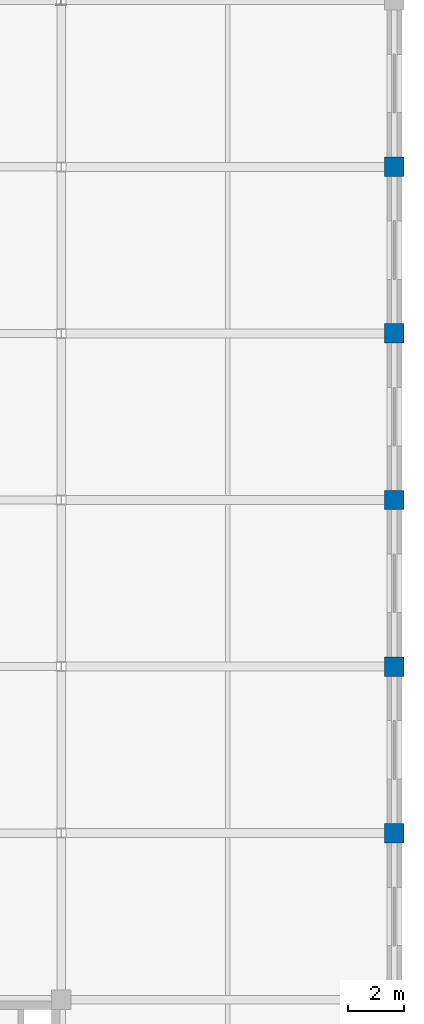
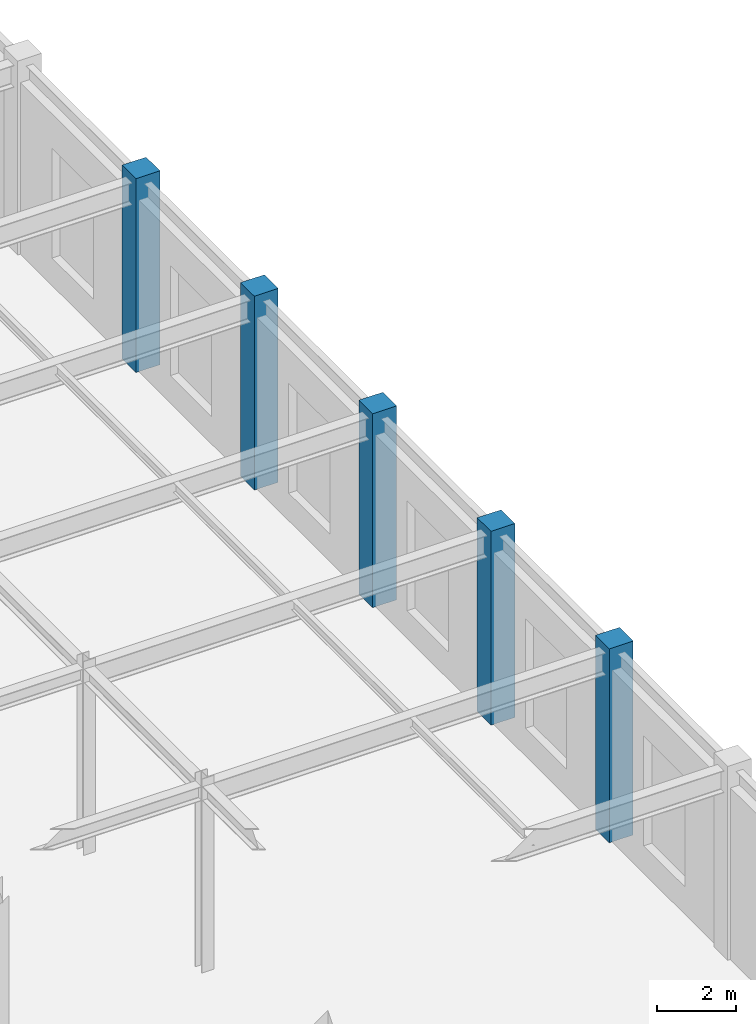
# One storey, part 24 of 51: 5 columns.
"""IFC4 building model written with IfcOpenShell, lengths in metres."""

from ifc_helpers import new_model, si_unit, direction, frame, origin, origin_2d, place, context, subcontext, project, spatial, rectangle, extrude, material, material_profile, profile_set, type_object, element, save


model = new_model("IFC4")

# Units and contexts
model_context = context("Model", 3, precision=1e-05, world=origin(), true_north=direction((0.0, 1.0)))
body_context = subcontext(model_context, "Body", "Model", "MODEL_VIEW")
ifc_project = project(units=[si_unit("LENGTHUNIT", "METRE"), si_unit("AREAUNIT", "SQUARE_METRE"), si_unit("VOLUMEUNIT", "CUBIC_METRE"), si_unit("PLANEANGLEUNIT", "RADIAN"), si_unit("MASSUNIT", "GRAM", prefix="KILO")], contexts=[model_context])

# Site, building, storey
site_placement = place(None, origin())
site = spatial("IfcSite", under=ifc_project, at=site_placement, CompositionType="ELEMENT")
building_placement = place(site_placement, origin())
building = spatial("IfcBuilding", under=site, at=building_placement, Name="Zlatovratsky Civic Hall", CompositionType="ELEMENT")
storey_placement = place(building_placement, origin())
storey = spatial("IfcBuildingStorey", under=building, at=storey_placement, Name="L01", CompositionType="ELEMENT", Elevation=0.0)

# Columns
ifc_material = material(Name="Concrete C35/45 (B40)", Category="concrete")
ifc_material_profile = material_profile(ifc_material, rectangle(XDim=0.699951171875, YDim=0.699951171875, at=origin_2d()), Name="RC 700x700")
ifc_profile_set = profile_set([ifc_material_profile], Name="Concrete C35/45 (B40)")
column_type = type_object("IfcColumnType", Name="Col_CorePier_RC700", PredefinedType="COLUMN", material=ifc_profile_set)
for number, where, z_axis, x_axis, name in (
    (1, (168.0, 36.0, 0.0), (0.0, 0.0, 1.0), (1.0, 0.0, 0.0), "CL-0522"),
    (2, (168.0, 42.0, 0.0), (0.0, 0.0, 1.0), (1.0, 0.0, 0.0), "CL-0545"),
    (3, (168.0, 48.0, 0.0), (0.0, 0.0, 1.0), (1.0, 0.0, 0.0), "CL-0568"),
    (4, (168.0, 54.0, 0.0), (0.0, 0.0, 1.0), (1.0, 0.0, 0.0), "CL-0591"),
    (5, (168.0, 60.0, 0.0), (0.0, 0.0, 1.0), (1.0, 0.0, 0.0), "CL-0614"),
):
    element("IfcColumn", number, at=place(storey_placement, frame(where, z_axis=z_axis, x_axis=x_axis)), inside=storey, type_object=column_type, Name=name, PredefinedType="COLUMN", context=body_context, shape_type="SweptSolid", body=[
        extrude(rectangle(XDim=0.699951171875, YDim=0.699951171875, at=origin_2d()), origin(), (0.0, 0.0, 1.0), 6.0),
    ])

save(model, "model.ifc")
